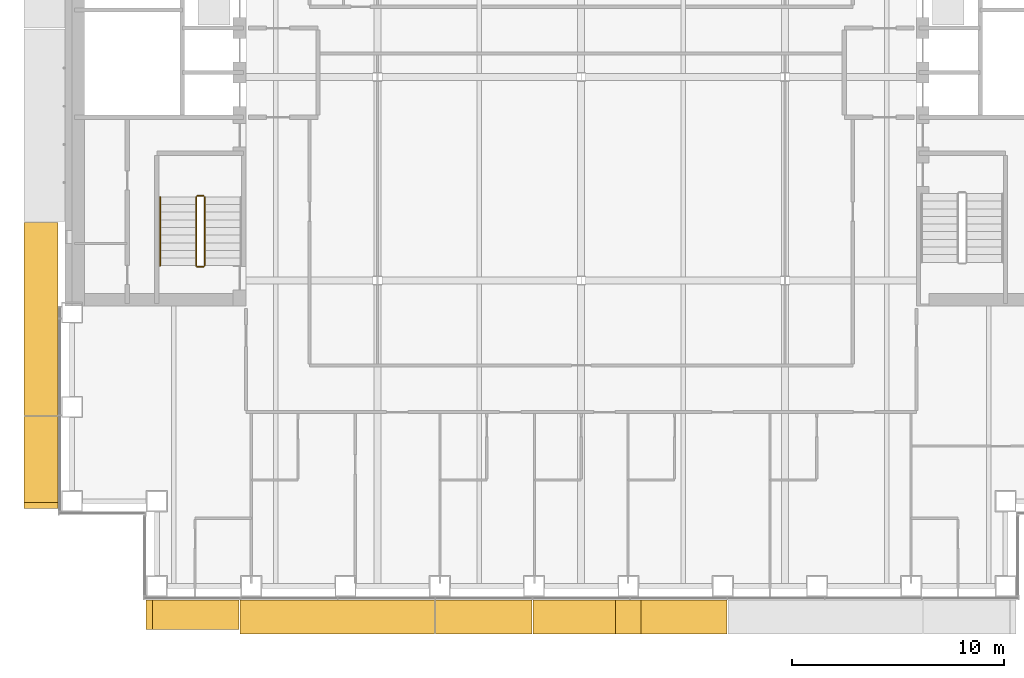
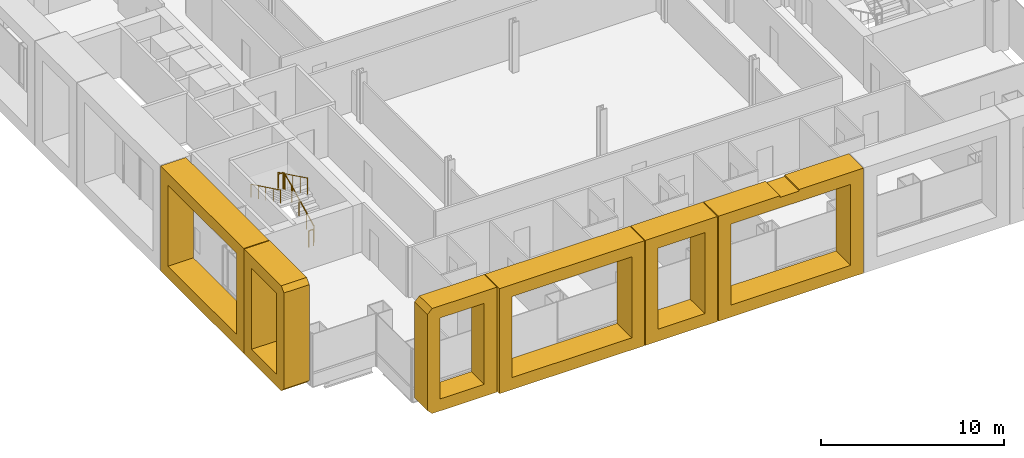
# One storey, part 20 of 25: 6 coverings, 5 railings.
"""IFC4 building model written with IfcOpenShell, lengths in metres."""

from ifc_helpers import new_model, si_unit, direction, frame, origin, origin_2d, place, context, subcontext, project, spatial, polyline, circle, outline, extrude, material, type_object, element, save


model = new_model("IFC4")

# Units and contexts
model_context = context("Model", 3, precision=1e-05, world=origin(), true_north=direction((0.0, 1.0)))
body_context = subcontext(model_context, "Body", "Model", "MODEL_VIEW")
ifc_project = project(units=[si_unit("LENGTHUNIT", "METRE"), si_unit("AREAUNIT", "SQUARE_METRE"), si_unit("VOLUMEUNIT", "CUBIC_METRE"), si_unit("PLANEANGLEUNIT", "RADIAN"), si_unit("MASSUNIT", "GRAM", prefix="KILO")], contexts=[model_context])

# Site, building, storey
site_placement = place(None, origin())
site = spatial("IfcSite", under=ifc_project, at=site_placement, CompositionType="ELEMENT")
building_placement = place(site_placement, origin())
building = spatial("IfcBuilding", under=site, at=building_placement, Name="Cobrizo Arcos Hotel Tower", CompositionType="ELEMENT")
storey_placement = place(building_placement, frame((0.0, 0.0, 46.0)))
storey = spatial("IfcBuildingStorey", under=building, at=storey_placement, Name="L09", CompositionType="ELEMENT", Elevation=46.0)

# Coverings
ifc_material_1 = material(Name="Aluminium 6063-T6 anodised bronze", Category="aluminium")
covering_type_1 = type_object("IfcCoveringType", Name="FIN-F 1400", PredefinedType="CLADDING", material=ifc_material_1)
covering_1_placement = place(storey_placement, frame((-20.5, -24.64990234375, 0.0), z_axis=(0.0, -1.0, 0.0), x_axis=(1.0, 0.0, 0.0)))
element("IfcCovering", 1, at=covering_1_placement, inside=storey, type_object=covering_type_1, Name="Fin frame 43", PredefinedType="CLADDING", context=body_context, shape_type="SweptSolid", body=[
    extrude(outline(polyline([(0.0, 0.300048828125), (0.300048828125, 0.0), (4.375, 0.0), (4.375, 7.0), (0.300048828125, 7.0), (0.0, 6.699951171875), (0.0, 0.300048828125)]), holes=[polyline([(3.574951171875, 0.800048828125), (0.800048828125, 0.800048828125), (0.800048828125, 6.199951171875), (3.574951171875, 6.199951171875), (3.574951171875, 0.800048828125)])]), origin(), (0.0, 0.0, 1.0), 1.400146484375),
])
covering_type_2 = type_object("IfcCoveringType", Name="FIN-F 1600", PredefinedType="CLADDING", material=ifc_material_1)
covering_2_placement = place(storey_placement, frame((-16.074951171875, -24.64990234375, 0.0), z_axis=(0.0, -1.0, 0.0), x_axis=(1.0, 0.0, 0.0)))
element("IfcCovering", 2, at=covering_2_placement, inside=storey, type_object=covering_type_2, Name="Fin frame 44", PredefinedType="CLADDING", context=body_context, shape_type="SweptSolid", body=[
    extrude(outline(polyline([(0.0, 7.0), (0.0, 0.0), (9.14990234375, 0.0), (9.14990234375, 7.0), (0.0, 7.0)]), holes=[polyline([(8.35009765625, 0.800048828125), (0.800048828125, 0.800048828125), (0.800048828125, 6.199951171875), (8.35009765625, 6.199951171875), (8.35009765625, 0.800048828125)])]), origin(), (0.0, 0.0, 1.0), 1.60009765625),
])
covering_3_placement = place(storey_placement, frame((-6.875, -24.64990234375, 0.0), z_axis=(0.0, -1.0, 0.0), x_axis=(1.0, 0.0, 0.0)))
element("IfcCovering", 3, at=covering_3_placement, inside=storey, type_object=covering_type_2, Name="Fin frame 45", PredefinedType="CLADDING", context=body_context, shape_type="SweptSolid", body=[
    extrude(outline(polyline([(0.0, 7.0), (0.0, 0.0), (4.550048828125, 0.0), (4.550048828125, 7.0), (0.0, 7.0)]), holes=[polyline([(3.75, 0.800048828125), (0.800048828125, 0.800048828125), (0.800048828125, 6.199951171875), (3.75, 6.199951171875), (3.75, 0.800048828125)])]), origin(), (0.0, 0.0, 1.0), 1.60009765625),
])
covering_4_placement = place(storey_placement, frame((-2.27490234375, -24.64990234375, 0.0), z_axis=(0.0, -1.0, 0.0), x_axis=(1.0, 0.0, 0.0)))
element("IfcCovering", 4, at=covering_4_placement, inside=storey, type_object=covering_type_2, Name="Fin frame 46", PredefinedType="CLADDING", context=body_context, shape_type="SweptSolid", body=[
    extrude(outline(polyline([(9.14990234375, 7.0), (5.09912109375, 7.0), (5.09912109375, 6.89794921875), (3.895263671875, 6.89794921875), (3.895263671875, 7.0), (0.0, 7.0), (0.0, 0.0), (9.14990234375, 0.0), (9.14990234375, 7.0)]), holes=[polyline([(8.35009765625, 0.800048828125), (0.800048828125, 0.800048828125), (0.800048828125, 6.199951171875), (8.35009765625, 6.199951171875), (8.35009765625, 0.800048828125)])]), origin(), (0.0, 0.0, 1.0), 1.60009765625),
])
covering_5_placement = place(storey_placement, frame((-24.64990234375, -6.875, 0.0), z_axis=(-1.0, 0.0, 0.0), x_axis=(0.0, -1.0, 0.0)))
element("IfcCovering", 5, at=covering_5_placement, inside=storey, type_object=covering_type_2, Name="Fin frame 67", PredefinedType="CLADDING", context=body_context, shape_type="SweptSolid", body=[
    extrude(outline(polyline([(0.0, 7.0), (0.0, 0.0), (9.083251953125, 0.0), (9.083251953125, 7.0), (0.0, 7.0)]), holes=[polyline([(8.283203125, 0.800048828125), (0.800048828125, 0.800048828125), (0.800048828125, 6.199951171875), (8.283203125, 6.199951171875), (8.283203125, 0.800048828125)])]), origin(), (0.0, 0.0, 1.0), 1.60009765625),
])
covering_6_placement = place(storey_placement, frame((-24.64990234375, -16.00830078125, 0.0), z_axis=(-1.0, 0.0, 0.0), x_axis=(0.0, -1.0, 0.0)))
element("IfcCovering", 6, at=covering_6_placement, inside=storey, type_object=covering_type_2, Name="Fin frame 68", PredefinedType="CLADDING", context=body_context, shape_type="SweptSolid", body=[
    extrude(outline(polyline([(0.0, 7.0), (0.0, 0.0), (4.041748046875, 0.0), (4.341796875, 0.300048828125), (4.341796875, 6.699951171875), (4.041748046875, 7.0), (0.0, 7.0)]), holes=[polyline([(3.541748046875, 0.800048828125), (0.800048828125, 0.800048828125), (0.800048828125, 6.199951171875), (3.541748046875, 6.199951171875), (3.541748046875, 0.800048828125)])]), origin(), (0.0, 0.0, 1.0), 1.60009765625),
])

# Railings
ifc_material_2 = material(Name="Stainless steel railing", Category="steel")
railing_type_1 = type_object("IfcRailingType", Name="Stair guard 1100", PredefinedType="GUARDRAIL", material=ifc_material_2)
railing_1_placement = place(storey_placement, frame((-17.75, -8.89990234375, 0.175048828125)))
element("IfcRailing", 7, at=railing_1_placement, inside=storey, type_object=railing_type_1, Name="L09 ST-W stair guard 1", PredefinedType="GUARDRAIL", context=body_context, shape_type="SweptSolid", body=[
    extrude(circle(Radius=0.02392578125, at=origin_2d()), frame((0.0, 0.0, 1.076171875), z_axis=(0.0, 0.899372665325, 0.437182809435), x_axis=(-1.0, 0.0, 0.0)), (0.0, 0.0, 1.0), 3.6025390625),
    extrude(circle(Radius=0.02099609375, at=origin_2d()), origin(), (0.0, 0.0, 1.0), 1.052001953125),
    extrude(circle(Radius=0.02099609375, at=origin_2d()), frame((0.0, 0.81005859375, 0.393798828125)), (0.0, 0.0, 1.0), 1.052001953125),
    extrude(circle(Radius=0.02099609375, at=origin_2d()), frame((0.0, 1.6201171875, 0.78759765625)), (0.0, 0.0, 1.0), 1.052001953125),
    extrude(circle(Radius=0.02099609375, at=origin_2d()), frame((0.0, 2.429931640625, 1.18115234375)), (0.0, 0.0, 1.0), 1.052001953125),
    extrude(circle(Radius=0.02099609375, at=origin_2d()), frame((0.0, 3.239990234375, 1.574951171875)), (0.0, 0.0, 1.0), 1.052001953125),
])
railing_2_placement = place(storey_placement, frame((-17.800048828125, -5.610107421875, 1.75)))
element("IfcRailing", 8, at=railing_2_placement, inside=storey, type_object=railing_type_1, Name="L09 ST-W stair guard 2", PredefinedType="GUARDRAIL", context=body_context, shape_type="SweptSolid", body=[
    extrude(circle(Radius=0.02392578125, at=origin_2d()), frame((0.0, 0.0, 1.076171875), z_axis=(-1.0, 0.0, 0.0), x_axis=(0.0, -1.0, 0.0)), (0.0, 0.0, 1.0), 0.300048828125),
    extrude(circle(Radius=0.02099609375, at=origin_2d()), origin(), (0.0, 0.0, 1.0), 1.052001953125),
    extrude(circle(Radius=0.02099609375, at=origin_2d()), frame((-0.300048828125, 0.0, 0.0)), (0.0, 0.0, 1.0), 1.052001953125),
])
railing_3_placement = place(storey_placement, frame((-18.14990234375, -5.659912109375, 1.925048828125)))
element("IfcRailing", 9, at=railing_3_placement, inside=storey, type_object=railing_type_1, Name="L09 ST-W stair guard 3", PredefinedType="GUARDRAIL", context=body_context, shape_type="SweptSolid", body=[
    extrude(circle(Radius=0.02392578125, at=origin_2d()), frame((0.0, 0.0, 1.076171875), z_axis=(0.0, -0.899372665325, 0.437182809435), x_axis=(1.0, 0.0, 0.0)), (0.0, 0.0, 1.0), 3.6025390625),
    extrude(circle(Radius=0.02099609375, at=origin_2d()), origin(), (0.0, 0.0, 1.0), 1.052001953125),
    extrude(circle(Radius=0.02099609375, at=origin_2d()), frame((0.0, -0.81005859375, 0.393798828125)), (0.0, 0.0, 1.0), 1.052001953125),
    extrude(circle(Radius=0.02099609375, at=origin_2d()), frame((0.0, -1.6201171875, 0.78759765625)), (0.0, 0.0, 1.0), 1.052001953125),
    extrude(circle(Radius=0.02099609375, at=origin_2d()), frame((0.0, -2.429931640625, 1.18115234375)), (0.0, 0.0, 1.0), 1.052001953125),
    extrude(circle(Radius=0.02099609375, at=origin_2d()), frame((0.0, -3.239990234375, 1.574951171875)), (0.0, 0.0, 1.0), 1.052001953125),
])
railing_4_placement = place(storey_placement, frame((-17.800048828125, -8.949951171875, 0.0)))
element("IfcRailing", 10, at=railing_4_placement, inside=storey, type_object=railing_type_1, Name="L09 ST-W stair guard 4", PredefinedType="GUARDRAIL", context=body_context, shape_type="SweptSolid", body=[
    extrude(circle(Radius=0.02392578125, at=origin_2d()), frame((0.0, 0.0, 1.076171875), z_axis=(-1.0, 0.0, 0.0), x_axis=(0.0, -1.0, 0.0)), (0.0, 0.0, 1.0), 0.300048828125),
    extrude(circle(Radius=0.02099609375, at=origin_2d()), origin(), (0.0, 0.0, 1.0), 1.052001953125),
    extrude(circle(Radius=0.02099609375, at=origin_2d()), frame((-0.300048828125, 0.0, 0.0)), (0.0, 0.0, 1.0), 1.052001953125),
])
railing_type_2 = type_object("IfcRailingType", Name="Stair handrail", PredefinedType="HANDRAIL", material=ifc_material_2)
railing_5_placement = place(storey_placement, frame((-19.85009765625, -5.659912109375, 1.925048828125)))
element("IfcRailing", 11, at=railing_5_placement, inside=storey, type_object=railing_type_2, Name="L09 ST-W stair handrail 2", PredefinedType="HANDRAIL", context=body_context, shape_type="SweptSolid", body=[
    extrude(circle(Radius=0.02392578125, at=origin_2d()), frame((0.0, 0.0, 0.8759765625), z_axis=(0.0, -0.899372665325, 0.437182809435), x_axis=(1.0, 0.0, 0.0)), (0.0, 0.0, 1.0), 3.6025390625),
    extrude(circle(Radius=0.02099609375, at=origin_2d()), origin(), (0.0, 0.0, 1.0), 0.851806640625),
    extrude(circle(Radius=0.02099609375, at=origin_2d()), frame((0.0, -0.81005859375, 0.393798828125)), (0.0, 0.0, 1.0), 0.851806640625),
    extrude(circle(Radius=0.02099609375, at=origin_2d()), frame((0.0, -1.6201171875, 0.78759765625)), (0.0, 0.0, 1.0), 0.851806640625),
    extrude(circle(Radius=0.02099609375, at=origin_2d()), frame((0.0, -2.429931640625, 1.18115234375)), (0.0, 0.0, 1.0), 0.851806640625),
    extrude(circle(Radius=0.02099609375, at=origin_2d()), frame((0.0, -3.239990234375, 1.574951171875)), (0.0, 0.0, 1.0), 0.851806640625),
])

save(model, "model.ifc")
